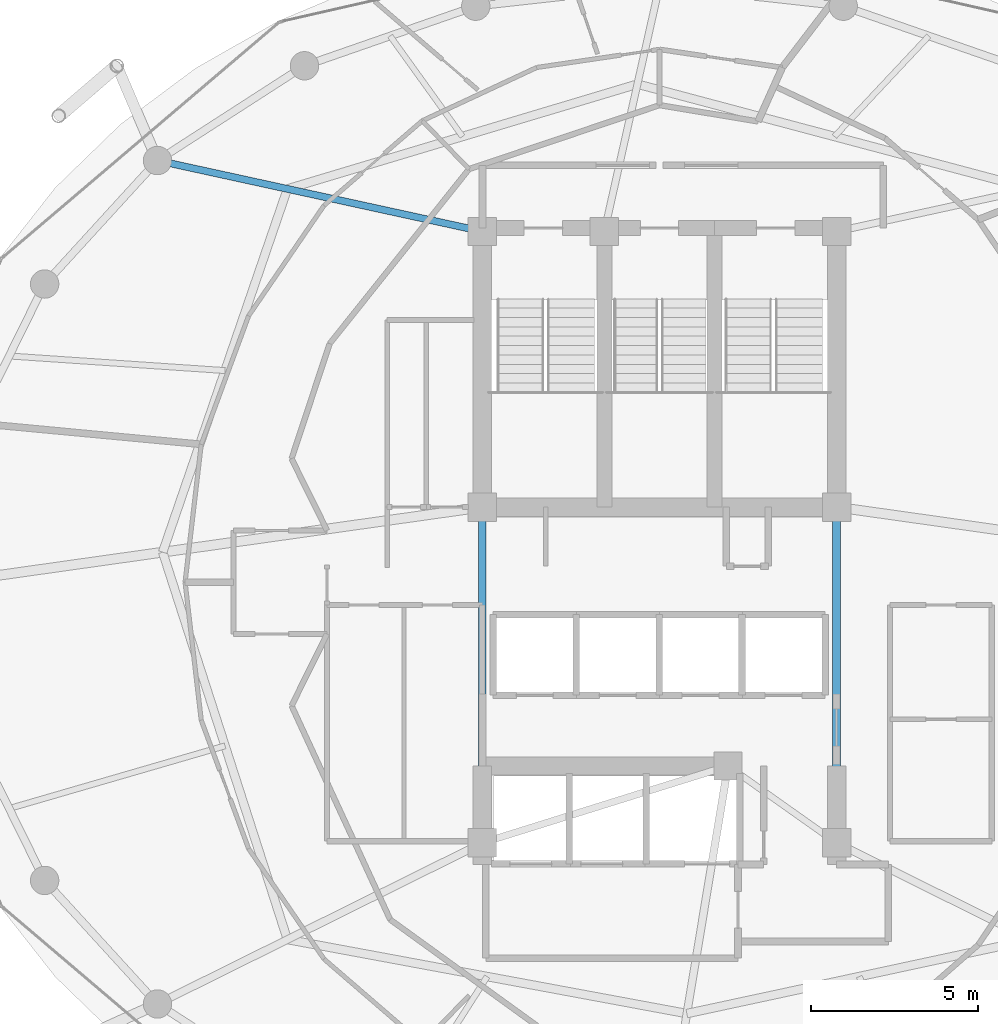
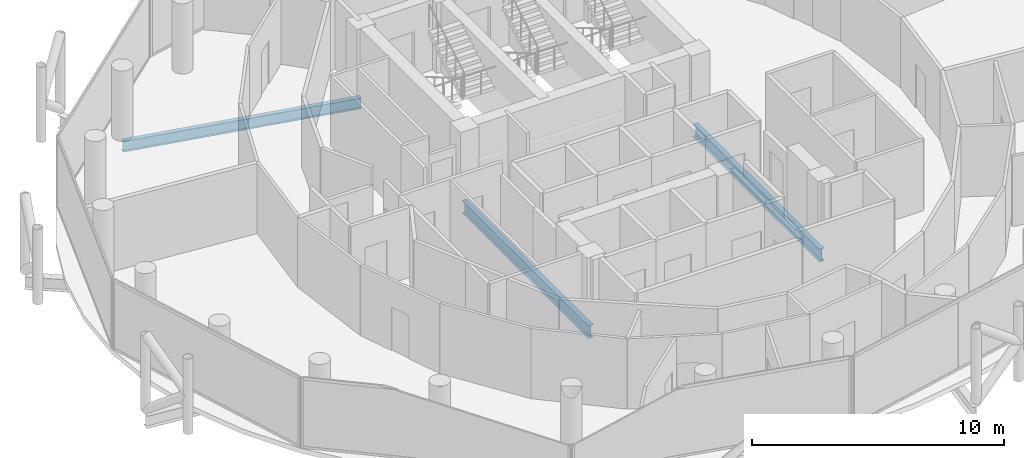
# One storey, part 10 of 27: 3 beams.
"""IFC4 building model written with IfcOpenShell, lengths in metres."""

from ifc_helpers import new_model, si_unit, direction, frame, origin, origin_2d, place, context, subcontext, project, spatial, i_section, extrude, material, material_profile, profile_set, type_object, element, save


model = new_model("IFC4")

# Units and contexts
model_context = context("Model", 3, precision=1e-05, world=origin(), true_north=direction((0.0, 1.0)))
body_context = subcontext(model_context, "Body", "Model", "MODEL_VIEW")
ifc_project = project(units=[si_unit("LENGTHUNIT", "METRE"), si_unit("AREAUNIT", "SQUARE_METRE"), si_unit("VOLUMEUNIT", "CUBIC_METRE"), si_unit("PLANEANGLEUNIT", "RADIAN"), si_unit("MASSUNIT", "GRAM", prefix="KILO")], contexts=[model_context])

# Site, building, storey
site_placement = place(None, origin())
site = spatial("IfcSite", under=ifc_project, at=site_placement, CompositionType="ELEMENT")
building_placement = place(site_placement, origin())
building = spatial("IfcBuilding", under=site, at=building_placement, Name="Nuhasar Tower", CompositionType="ELEMENT")
storey_placement = place(building_placement, frame((0.0, 0.0, 244.64990234375)))
storey = spatial("IfcBuildingStorey", under=building, at=storey_placement, Name="L60", CompositionType="ELEMENT", Elevation=244.64990234375)

# Beams
ifc_material = material(Name="Steel S355", Category="steel")
ifc_material_profile_1 = material_profile(ifc_material, i_section(OverallWidth=0.208984375, OverallDepth=0.528076171875, WebThickness=0.009521484375, FlangeThickness=0.01318359375, at=origin_2d()), Name="W21X55")
ifc_profile_set_1 = profile_set([ifc_material_profile_1], Name="Steel S355")
beam_type_1 = type_object("IfcBeamType", Name="BM-RAD-W21X55", PredefinedType="BEAM", material=ifc_profile_set_1)
beam_placement = place(storey_placement, frame((33.699951171875, 37.300048828125, -0.50390625), z_axis=(-0.977014275474, 0.213173885644, 0.0), x_axis=(-0.213173885644, -0.977014275474, 0.0)))
element("IfcBeam", 1, at=beam_placement, inside=storey, type_object=beam_type_1, Name="L60 Radial Floor Girder 07", PredefinedType="BEAM", context=body_context, shape_type="SweptSolid", body=[
    extrude(i_section(OverallWidth=0.208984375, OverallDepth=0.528076171875, WebThickness=0.009521484375, FlangeThickness=0.01318359375, at=origin_2d()), origin(), (0.0, 0.0, 1.0), 9.95458984375),
])
ifc_material_profile_2 = material_profile(ifc_material, i_section(OverallWidth=0.22900390625, OverallDepth=0.612060546875, WebThickness=0.011962890625, FlangeThickness=0.01953125, at=origin_2d()), Name="W24X84")
ifc_profile_set_2 = profile_set([ifc_material_profile_2], Name="Steel S355")
beam_type_2 = type_object("IfcBeamType", Name="BM-RAD-W24X84", PredefinedType="BEAM", material=ifc_profile_set_2)
for number, where, z_axis, x_axis, name in (
    (2, (44.300048828125, 19.0, -0.5458984375), (0.0, 1.0, 0.0), (-1.0, 0.0, 0.0), "L60 Core Ring Girder 3"),
    (3, (33.699951171875, 29.050048828125, -0.5458984375), (0.0, -1.0, 0.0), (1.0, 0.0, 0.0), "L60 Core Ring Girder 8"),
):
    element("IfcBeam", number, at=place(storey_placement, frame(where, z_axis=z_axis, x_axis=x_axis)), inside=storey, type_object=beam_type_2, Name=name, PredefinedType="BEAM", context=body_context, shape_type="SweptSolid", body=[
        extrude(i_section(OverallWidth=0.22900390625, OverallDepth=0.612060546875, WebThickness=0.011962890625, FlangeThickness=0.01953125, at=origin_2d()), origin(), (0.0, 0.0, 1.0), 10.050048828125),
    ])

save(model, "model.ifc")
